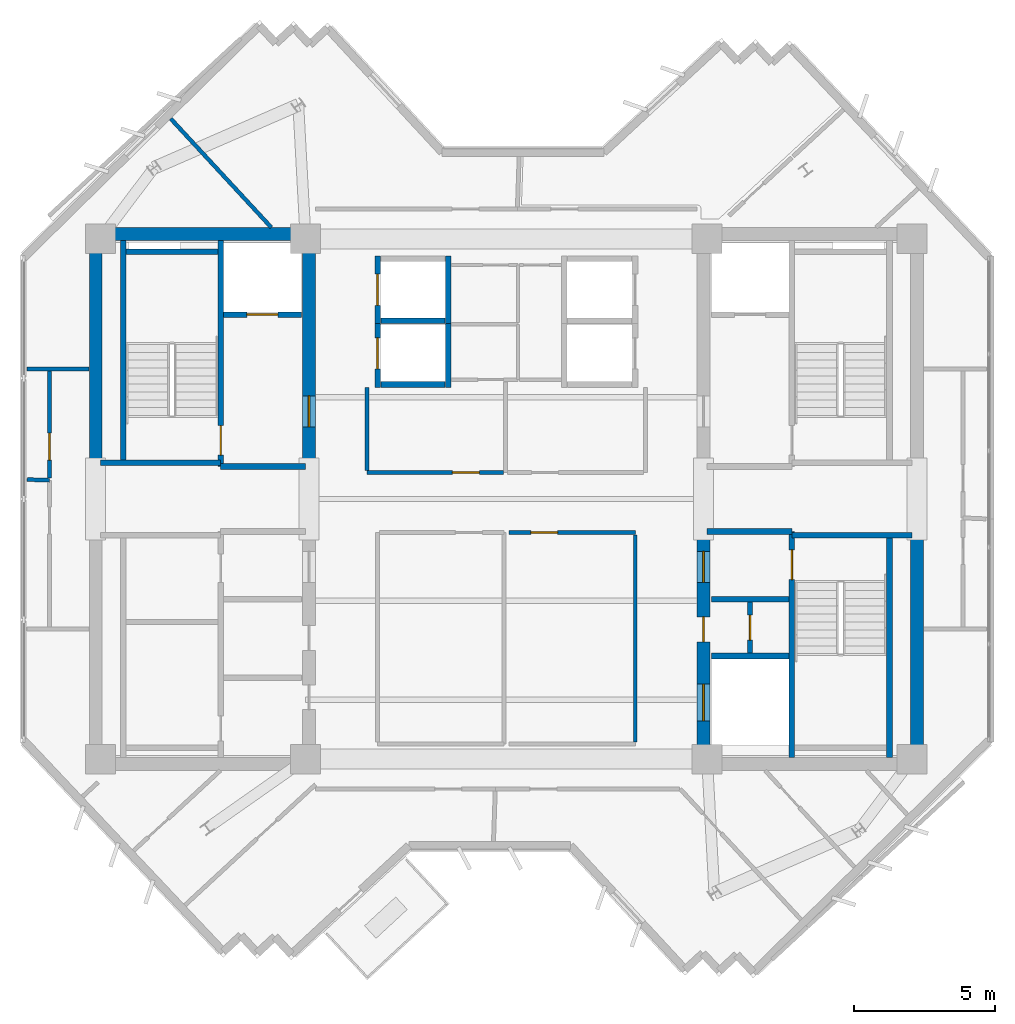
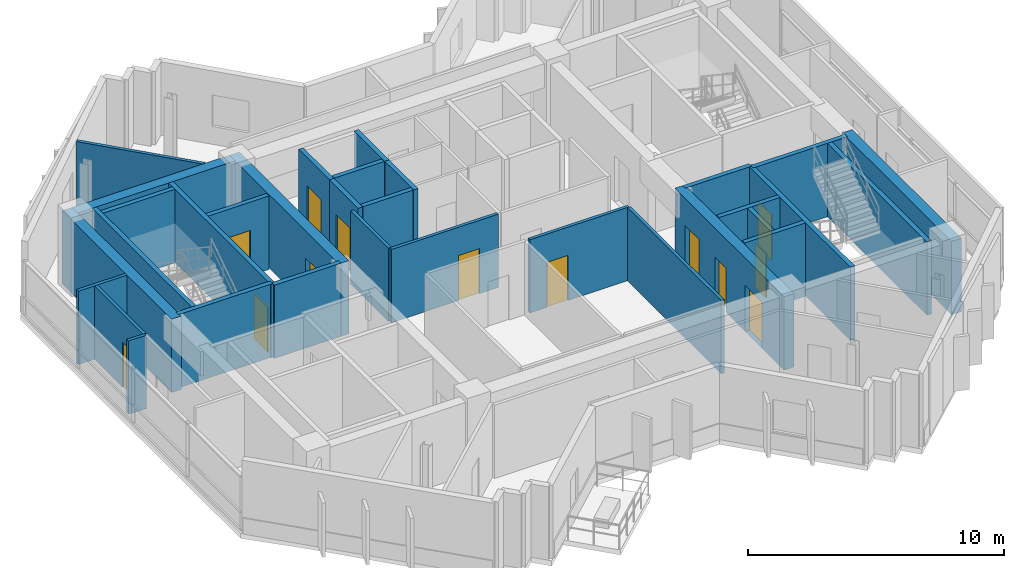
# One storey, part 5 of 9: 32 walls, 13 doors, 13 openings.
"""IFC4 building model written with IfcOpenShell, lengths in metres."""

from ifc_helpers import new_model, si_unit, direction, frame, frame_2d, origin, place, context, subcontext, project, spatial, rectangle, extrude, source, transform, mapped, material, layer, layer_set, type_object, element, fill, save


model = new_model("IFC4")

# Units and contexts
model_context = context("Model", 3, precision=1e-05, world=origin(), true_north=direction((0.0, 1.0)))
body_context = subcontext(model_context, "Body", "Model", "MODEL_VIEW")
ifc_project = project(units=[si_unit("LENGTHUNIT", "METRE"), si_unit("AREAUNIT", "SQUARE_METRE"), si_unit("VOLUMEUNIT", "CUBIC_METRE"), si_unit("PLANEANGLEUNIT", "RADIAN"), si_unit("MASSUNIT", "GRAM", prefix="KILO")], contexts=[model_context])

# Site, building, storey
site_placement = place(None, origin())
site = spatial("IfcSite", under=ifc_project, at=site_placement, CompositionType="ELEMENT")
building_placement = place(site_placement, origin())
building = spatial("IfcBuilding", under=site, at=building_placement, Name="Zahravan Cultural Tower", CompositionType="ELEMENT")
storey_placement = place(building_placement, frame((0.0, 0.0, 295.35009765625)))
storey = spatial("IfcBuildingStorey", under=building, at=storey_placement, Name="L71", CompositionType="ELEMENT", Elevation=295.35009765625)

# Wall, opening, door
ifc_material_1 = material(Name="Concrete C50/60", Category="concrete")
ifc_layer_1 = layer(ifc_material_1, 0.449951171875)
ifc_layer_set_1 = layer_set([ifc_layer_1], Name="Concrete C50/60")
wall_type_1 = type_object("IfcWallType", Name="CW-SHEAR-450-C50", PredefinedType="SHEAR", material=ifc_layer_set_1)
wall_1_placement = place(storey_placement, frame((29.02490234375, 28.050048828125, 0.0), z_axis=(0.0, 0.0, 1.0), x_axis=(0.0, 1.0, 0.0)))
wall_1 = element("IfcWall", 1, at=wall_1_placement, inside=storey, type_object=wall_type_1, Name="L71 Core Shear Wall CW-W-EN-L71", PredefinedType="SHEAR", context=body_context, shape_type="SweptSolid", body=[
    extrude(rectangle(XDim=8.550048828125, YDim=0.449951171875, at=frame_2d((4.27490234375, 0.0))), origin(), (0.0, 0.0, 1.0), 3.5),
])
opening_1_placement = place(wall_1_placement, frame((1.5, 0.0, 0.0)))
opening_1 = element("IfcOpeningElement", 2, at=opening_1_placement, cuts=wall_1, Name="Opening D-L71-06", PredefinedType="OPENING", context=body_context, shape_type="SweptSolid", body=[
    extrude(rectangle(XDim=1.10009765625, YDim=2.199951171875, at=frame_2d((0.550048828125, 1.10009765625))), frame((0.0, 0.23486328125, 0.0), z_axis=(0.0, -1.0, 0.0), x_axis=(1.0, 0.0, 0.0)), (0.0, 0.0, 1.0), 0.469970703125),
])
ifc_material_2 = material(Name="Steel ASTM A572 Grade 50", Category="steel")
door_type_1 = type_object("IfcDoorType", Name="DR-LOBBY-1100", OperationType="NOTDEFINED", PredefinedType="DOOR", material=ifc_material_2)
shared_shape_1 = source(origin(), body_context, "Body", "SweptSolid", [
    extrude(rectangle(XDim=1.10009765625, YDim=2.199951171875, at=frame_2d((0.550048828125, 1.10009765625))), frame((0.0, 0.02490234375, 0.0), z_axis=(0.0, -1.0, 0.0), x_axis=(1.0, 0.0, 0.0)), (0.0, 0.0, 1.0), 0.050048828125),
])
door_1_placement = place(opening_1_placement, origin())
door_1 = element("IfcDoor", 3, at=door_1_placement, inside=storey, type_object=door_type_1, Name="L71 Door D-L71-06", OperationType="SINGLE_SWING_RIGHT", OverallHeight=2.199951171875, OverallWidth=1.10009765625, PredefinedType="DOOR", context=body_context, shape_type="MappedRepresentation", body=[
    mapped(shared_shape_1, transform((0.0, 0.0, 0.0), x_axis=(1.0, 0.0, 0.0), y_axis=(0.0, 1.0, 0.0), z_axis=(0.0, 0.0, 1.0), scale=1.0)),
])
fill(opening_1, door_1)

# Wall, openings, doors
wall_2_placement = place(storey_placement, frame((42.97509765625, 17.39990234375, 0.0), z_axis=(0.0, 0.0, 1.0), x_axis=(0.0, 1.0, 0.0)))
wall_2 = element("IfcWall", 4, at=wall_2_placement, inside=storey, type_object=wall_type_1, Name="L71 Core Shear Wall CW-E-WS-L71", PredefinedType="SHEAR", context=body_context, shape_type="SweptSolid", body=[
    extrude(rectangle(XDim=8.550048828125, YDim=0.449951171875, at=frame_2d((4.27490234375, 0.0))), origin(), (0.0, 0.0, 1.0), 3.5),
])
opening_2_placement = place(wall_2_placement, frame((6.64990234375, 0.0, 0.0)))
opening_2 = element("IfcOpeningElement", 5, at=opening_2_placement, cuts=wall_2, Name="Opening D-L71-09", PredefinedType="OPENING", context=body_context, shape_type="SweptSolid", body=[
    extrude(rectangle(XDim=1.10009765625, YDim=2.199951171875, at=frame_2d((0.550048828125, 1.10009765625))), frame((0.0, 0.23486328125, 0.0), z_axis=(0.0, -1.0, 0.0), x_axis=(1.0, 0.0, 0.0)), (0.0, 0.0, 1.0), 0.469970703125),
])
opening_3_placement = place(wall_2_placement, frame((1.75, 0.0, 0.0)))
opening_3 = element("IfcOpeningElement", 6, at=opening_3_placement, cuts=wall_2, Name="Opening LD-L71-03", PredefinedType="OPENING", context=body_context, shape_type="SweptSolid", body=[
    extrude(rectangle(XDim=1.300048828125, YDim=2.199951171875, at=frame_2d((0.64990234375, 1.10009765625))), frame((0.0, 0.23486328125, 0.0), z_axis=(0.0, -1.0, 0.0), x_axis=(1.0, 0.0, 0.0)), (0.0, 0.0, 1.0), 0.469970703125),
])
opening_4_placement = place(wall_2_placement, frame((4.550048828125, 0.0, 0.0)))
opening_4 = element("IfcOpeningElement", 7, at=opening_4_placement, cuts=wall_2, Name="Opening D-L71-12", PredefinedType="OPENING", context=body_context, shape_type="SweptSolid", body=[
    extrude(rectangle(XDim=0.8798828125, YDim=2.10009765625, at=frame_2d((0.43994140625, 1.050048828125))), frame((0.0, 0.23486328125, 0.0), z_axis=(0.0, -1.0, 0.0), x_axis=(1.0, 0.0, 0.0)), (0.0, 0.0, 1.0), 0.469970703125),
])
door_2_placement = place(opening_2_placement, origin())
door_2 = element("IfcDoor", 8, at=door_2_placement, inside=storey, type_object=door_type_1, Name="L71 Door D-L71-09", OperationType="SINGLE_SWING_LEFT", OverallHeight=2.199951171875, OverallWidth=1.10009765625, PredefinedType="DOOR", context=body_context, shape_type="MappedRepresentation", body=[
    mapped(shared_shape_1, transform((0.0, 0.0, 0.0), x_axis=(1.0, 0.0, 0.0), y_axis=(0.0, 1.0, 0.0), z_axis=(0.0, 0.0, 1.0), scale=1.0)),
])
fill(opening_2, door_2)
door_type_2 = type_object("IfcDoorType", Name="DR-LIFT-1300", OperationType="DOUBLE_DOOR_SLIDING", PredefinedType="DOOR", material=ifc_material_2)
shared_shape_2 = source(origin(), body_context, "Body", "SweptSolid", [
    extrude(rectangle(XDim=1.300048828125, YDim=2.199951171875, at=frame_2d((0.64990234375, 1.10009765625))), frame((0.0, 0.02490234375, 0.0), z_axis=(0.0, -1.0, 0.0), x_axis=(1.0, 0.0, 0.0)), (0.0, 0.0, 1.0), 0.050048828125),
])
door_3_placement = place(opening_3_placement, origin())
door_3 = element("IfcDoor", 9, at=door_3_placement, inside=storey, type_object=door_type_2, Name="L71 Door LD-L71-03", OperationType="DOUBLE_DOOR_SLIDING", OverallHeight=2.199951171875, OverallWidth=1.300048828125, PredefinedType="DOOR", context=body_context, shape_type="MappedRepresentation", body=[
    mapped(shared_shape_2, transform((0.0, 0.0, 0.0), x_axis=(1.0, 0.0, 0.0), y_axis=(0.0, 1.0, 0.0), z_axis=(0.0, 0.0, 1.0), scale=1.0)),
])
fill(opening_3, door_3)
door_type_3 = type_object("IfcDoorType", Name="DR-SVC-880", OperationType="NOTDEFINED", PredefinedType="DOOR", material=ifc_material_2)
shared_shape_3 = source(origin(), body_context, "Body", "SweptSolid", [
    extrude(rectangle(XDim=0.8798828125, YDim=2.10009765625, at=frame_2d((0.43994140625, 1.050048828125))), frame((0.0, 0.02490234375, 0.0), z_axis=(0.0, -1.0, 0.0), x_axis=(1.0, 0.0, 0.0)), (0.0, 0.0, 1.0), 0.050048828125),
])
door_4_placement = place(opening_4_placement, origin())
door_4 = element("IfcDoor", 10, at=door_4_placement, inside=storey, type_object=door_type_3, Name="L71 Door D-L71-12", OperationType="SINGLE_SWING_RIGHT", OverallHeight=2.10009765625, OverallWidth=0.8798828125, PredefinedType="DOOR", context=body_context, shape_type="MappedRepresentation", body=[
    mapped(shared_shape_3, transform((0.0, 0.0, 0.0), x_axis=(1.0, 0.0, 0.0), y_axis=(0.0, 1.0, 0.0), z_axis=(0.0, 0.0, 1.0), scale=1.0)),
])
fill(opening_4, door_4)

# Wall, opening, door
ifc_material_3 = material(Name="Gypsum plasterboard partition")
ifc_layer_2 = layer(ifc_material_3, 0.179931640625)
ifc_layer_set_2 = layer_set([ifc_layer_2], Name="Gypsum plasterboard partition")
wall_type_2 = type_object("IfcWallType", Name="W-COMP-180", PredefinedType="PARTITIONING", material=ifc_layer_set_2)
wall_3_placement = place(storey_placement, frame((44.6201171875, 21.550048828125, 0.0), z_axis=(0.0, 0.0, 1.0), x_axis=(0.0, 1.0, 0.0)))
wall_3 = element("IfcWall", 11, at=wall_3_placement, inside=storey, type_object=wall_type_2, Name="L71 Interior Wall 028", PredefinedType="PARTITIONING", context=body_context, shape_type="SweptSolid", body=[
    extrude(rectangle(XDim=1.800048828125, YDim=0.179931640625, at=frame_2d((0.89990234375, 0.0))), origin(), (0.0, 0.0, 1.0), 3.5),
])
opening_5_placement = place(wall_3_placement, frame((0.4599609375, 0.0, 0.0)))
opening_5 = element("IfcOpeningElement", 12, at=opening_5_placement, cuts=wall_3, Name="Opening D-L71-13", PredefinedType="OPENING", context=body_context, shape_type="SweptSolid", body=[
    extrude(rectangle(XDim=0.8798828125, YDim=2.10009765625, at=frame_2d((0.43994140625, 1.050048828125))), frame((0.0, 0.099853515625, 0.0), z_axis=(0.0, -1.0, 0.0), x_axis=(1.0, 0.0, 0.0)), (0.0, 0.0, 1.0), 0.199951171875),
])
door_5_placement = place(opening_5_placement, origin())
door_5 = element("IfcDoor", 13, at=door_5_placement, inside=storey, type_object=door_type_3, Name="L71 Door D-L71-13", OperationType="SINGLE_SWING_LEFT", OverallHeight=2.10009765625, OverallWidth=0.8798828125, PredefinedType="DOOR", context=body_context, shape_type="MappedRepresentation", body=[
    mapped(shared_shape_3, transform((0.0, 0.0, 0.0), x_axis=(1.0, 0.0, 0.0), y_axis=(0.0, 1.0, 0.0), z_axis=(0.0, 0.0, 1.0), scale=1.0)),
])
fill(opening_5, door_5)

ifc_layer_3 = layer(ifc_material_3, 0.139892578125)
ifc_layer_set_3 = layer_set([ifc_layer_3], Name="Gypsum plasterboard partition")
wall_type_3 = type_object("IfcWallType", Name="W-PART-140", PredefinedType="PARTITIONING", material=ifc_layer_set_3)
wall_4_placement = place(storey_placement, frame((35.89501953125, 27.93994140625, 0.0), z_axis=(0.0, 0.0, 1.0), x_axis=(-1.0, 0.0, 0.0)))
wall_4 = element("IfcWall", 14, at=wall_4_placement, inside=storey, type_object=wall_type_3, Name="L71 Interior Wall 057", PredefinedType="PARTITIONING", context=body_context, shape_type="SweptSolid", body=[
    extrude(rectangle(XDim=4.81494140625, YDim=0.139892578125, at=frame_2d((2.407470703125, 0.0))), origin(), (0.0, 0.0, 1.0), 3.5),
])
opening_6_placement = place(wall_4_placement, frame((0.850341796875, 0.0, 0.0)))
opening_6 = element("IfcOpeningElement", 15, at=opening_6_placement, cuts=wall_4, Name="Opening D-L71-18", PredefinedType="OPENING", context=body_context, shape_type="SweptSolid", body=[
    extrude(rectangle(XDim=0.949951171875, YDim=2.14990234375, at=frame_2d((0.47509765625, 1.074951171875))), frame((0.0, 0.079833984375, 0.0), z_axis=(0.0, -1.0, 0.0), x_axis=(1.0, 0.0, 0.0)), (0.0, 0.0, 1.0), 0.159912109375),
])
ifc_material_4 = material(Name="Anodised bronze-aluminium mullion", Category="aluminium")
door_type_4 = type_object("IfcDoorType", Name="DR-ROOM-950", OperationType="NOTDEFINED", PredefinedType="DOOR", material=ifc_material_4)
shared_shape_4 = source(origin(), body_context, "Body", "SweptSolid", [
    extrude(rectangle(XDim=0.949951171875, YDim=2.14990234375, at=frame_2d((0.47509765625, 1.074951171875))), frame((0.0, 0.02490234375, 0.0), z_axis=(0.0, -1.0, 0.0), x_axis=(1.0, 0.0, 0.0)), (0.0, 0.0, 1.0), 0.050048828125),
])
door_6_placement = place(opening_6_placement, origin())
door_6 = element("IfcDoor", 16, at=door_6_placement, inside=storey, type_object=door_type_4, Name="L71 Door D-L71-18", OperationType="SINGLE_SWING_RIGHT", OverallHeight=2.14990234375, OverallWidth=0.949951171875, PredefinedType="DOOR", context=body_context, shape_type="MappedRepresentation", body=[
    mapped(shared_shape_4, transform((0.0, 0.0, 0.0), x_axis=(1.0, 0.0, 0.0), y_axis=(0.0, 1.0, 0.0), z_axis=(0.0, 0.0, 1.0), scale=1.0)),
])
fill(opening_6, door_6)

wall_5_placement = place(storey_placement, frame((19.851318359375, 31.59765625, 0.0), z_axis=(0.0, 0.0, 1.0), x_axis=(-0.000316215517, -0.999999950004, 0.0)))
wall_5 = element("IfcWall", 17, at=wall_5_placement, inside=storey, type_object=wall_type_3, Name="L71 Interior Wall 077", PredefinedType="PARTITIONING", context=body_context, shape_type="SweptSolid", body=[
    extrude(rectangle(XDim=3.8603515625, YDim=0.139892578125, at=frame_2d((1.93017578125, 0.0))), origin(), (0.0, 0.0, 1.0), 3.5),
])
opening_7_placement = place(wall_5_placement, frame((2.27001953125, 0.0, 0.0)))
opening_7 = element("IfcOpeningElement", 18, at=opening_7_placement, cuts=wall_5, Name="Opening D-L71-23", PredefinedType="OPENING", context=body_context, shape_type="SweptSolid", body=[
    extrude(rectangle(XDim=0.949951171875, YDim=2.14990234375, at=frame_2d((0.47509765625, 1.074951171875))), frame((0.0, 0.079833984375, 0.0), z_axis=(0.0, -1.0, 0.0), x_axis=(1.0, 0.0, 0.0)), (0.0, 0.0, 1.0), 0.159912109375),
])
door_7_placement = place(opening_7_placement, origin())
door_7 = element("IfcDoor", 19, at=door_7_placement, inside=storey, type_object=door_type_4, Name="L71 Door D-L71-23", OperationType="SINGLE_SWING_LEFT", OverallHeight=2.14990234375, OverallWidth=0.949951171875, PredefinedType="DOOR", context=body_context, shape_type="MappedRepresentation", body=[
    mapped(shared_shape_4, transform((0.0, 0.0, 0.0), x_axis=(1.0, 0.0, 0.0), y_axis=(0.0, 1.0, 0.0), z_axis=(0.0, 0.0, 1.0), scale=1.0)),
])
fill(opening_7, door_7)

wall_6_placement = place(storey_placement, frame((36.090087890625, 25.81005859375, 0.0), z_axis=(0.0, 0.0, 1.0), x_axis=(1.0, 0.0, 0.0)))
wall_6 = element("IfcWall", 20, at=wall_6_placement, inside=storey, type_object=wall_type_3, Name="L71 Interior Wall 086", PredefinedType="PARTITIONING", context=body_context, shape_type="SweptSolid", body=[
    extrude(rectangle(XDim=4.469970703125, YDim=0.139892578125, at=frame_2d((2.23486328125, 0.0))), origin(), (0.0, 0.0, 1.0), 3.5),
])
opening_8_placement = place(wall_6_placement, frame((0.7744140625, 0.0, 0.0)))
opening_8 = element("IfcOpeningElement", 21, at=opening_8_placement, cuts=wall_6, Name="Opening D-L71-15", PredefinedType="OPENING", context=body_context, shape_type="SweptSolid", body=[
    extrude(rectangle(XDim=0.949951171875, YDim=2.14990234375, at=frame_2d((0.47509765625, 1.074951171875))), frame((0.0, 0.079833984375, 0.0), z_axis=(0.0, -1.0, 0.0), x_axis=(1.0, 0.0, 0.0)), (0.0, 0.0, 1.0), 0.159912109375),
])
door_8_placement = place(opening_8_placement, origin())
door_8 = element("IfcDoor", 22, at=door_8_placement, inside=storey, type_object=door_type_4, Name="L71 Door D-L71-15", OperationType="SINGLE_SWING_LEFT", OverallHeight=2.14990234375, OverallWidth=0.949951171875, PredefinedType="DOOR", context=body_context, shape_type="MappedRepresentation", body=[
    mapped(shared_shape_4, transform((0.0, 0.0, 0.0), x_axis=(1.0, 0.0, 0.0), y_axis=(0.0, 1.0, 0.0), z_axis=(0.0, 0.0, 1.0), scale=1.0)),
])
fill(opening_8, door_8)

ifc_material_5 = material(Name="Concrete C45/55", Category="concrete")
ifc_layer_4 = layer(ifc_material_5, 0.199951171875)
ifc_layer_set_4 = layer_set([ifc_layer_4], Name="Concrete C45/55")
wall_type_4 = type_object("IfcWallType", Name="W-SHAFT-200", PredefinedType="SOLIDWALL", material=ifc_layer_set_4)
wall_7_placement = place(storey_placement, frame((25.89990234375, 28.14990234375, 0.0), z_axis=(0.0, 0.0, 1.0), x_axis=(0.0, 1.0, 0.0)))
wall_7 = element("IfcWall", 23, at=wall_7_placement, inside=storey, type_object=wall_type_4, Name="L71 Interior Wall 006", PredefinedType="SOLIDWALL", context=body_context, shape_type="SweptSolid", body=[
    extrude(rectangle(XDim=8.0, YDim=0.199951171875, at=frame_2d((4.0, 0.0))), origin(), (0.0, 0.0, 1.0), 3.5),
])
opening_9_placement = place(wall_7_placement, frame((0.39990234375, 0.0, 0.0)))
opening_9 = element("IfcOpeningElement", 24, at=opening_9_placement, cuts=wall_7, Name="Opening D-L71-01", PredefinedType="OPENING", context=body_context, shape_type="SweptSolid", body=[
    extrude(rectangle(XDim=1.050048828125, YDim=2.14990234375, at=frame_2d((0.52490234375, 1.074951171875))), frame((0.0, 0.10986328125, 0.0), z_axis=(0.0, -1.0, 0.0), x_axis=(1.0, 0.0, 0.0)), (0.0, 0.0, 1.0), 0.219970703125),
])
door_type_5 = type_object("IfcDoorType", Name="DR-STAIR-1050", OperationType="NOTDEFINED", PredefinedType="DOOR", material=ifc_material_2)
shared_shape_5 = source(origin(), body_context, "Body", "SweptSolid", [
    extrude(rectangle(XDim=1.050048828125, YDim=2.14990234375, at=frame_2d((0.52490234375, 1.074951171875))), frame((0.0, 0.02490234375, 0.0), z_axis=(0.0, -1.0, 0.0), x_axis=(1.0, 0.0, 0.0)), (0.0, 0.0, 1.0), 0.050048828125),
])
door_9_placement = place(opening_9_placement, origin())
door_9 = element("IfcDoor", 25, at=door_9_placement, inside=storey, type_object=door_type_5, Name="L71 Door D-L71-01", OperationType="SINGLE_SWING_LEFT", OverallHeight=2.14990234375, OverallWidth=1.050048828125, PredefinedType="DOOR", context=body_context, shape_type="MappedRepresentation", body=[
    mapped(shared_shape_5, transform((0.0, 0.0, 0.0), x_axis=(1.0, 0.0, 0.0), y_axis=(0.0, 1.0, 0.0), z_axis=(0.0, 0.0, 1.0), scale=1.0)),
])
fill(opening_9, door_9)

wall_8_placement = place(storey_placement, frame((46.10009765625, 17.85009765625, 0.0), z_axis=(0.0, 0.0, 1.0), x_axis=(0.0, 1.0, 0.0)))
wall_8 = element("IfcWall", 26, at=wall_8_placement, inside=storey, type_object=wall_type_4, Name="L71 Interior Wall 007", PredefinedType="SOLIDWALL", context=body_context, shape_type="SweptSolid", body=[
    extrude(rectangle(XDim=8.0, YDim=0.199951171875, at=frame_2d((4.0, 0.0))), origin(), (0.0, 0.0, 1.0), 3.5),
])
opening_10_placement = place(wall_8_placement, frame((6.300048828125, 0.0, 0.0)))
opening_10 = element("IfcOpeningElement", 27, at=opening_10_placement, cuts=wall_8, Name="Opening D-L71-03", PredefinedType="OPENING", context=body_context, shape_type="SweptSolid", body=[
    extrude(rectangle(XDim=1.050048828125, YDim=2.14990234375, at=frame_2d((0.52490234375, 1.074951171875))), frame((0.0, 0.10986328125, 0.0), z_axis=(0.0, -1.0, 0.0), x_axis=(1.0, 0.0, 0.0)), (0.0, 0.0, 1.0), 0.219970703125),
])
door_10_placement = place(opening_10_placement, origin())
door_10 = element("IfcDoor", 28, at=door_10_placement, inside=storey, type_object=door_type_5, Name="L71 Door D-L71-03", OperationType="SINGLE_SWING_LEFT", OverallHeight=2.14990234375, OverallWidth=1.050048828125, PredefinedType="DOOR", context=body_context, shape_type="MappedRepresentation", body=[
    mapped(shared_shape_5, transform((0.0, 0.0, 0.0), x_axis=(1.0, 0.0, 0.0), y_axis=(0.0, 1.0, 0.0), z_axis=(0.0, 0.0, 1.0), scale=1.0)),
])
fill(opening_10, door_10)

wall_9_placement = place(storey_placement, frame((26.0, 33.52001953125, 0.0), z_axis=(0.0, 0.0, 1.0), x_axis=(1.0, 0.0, 0.0)))
wall_9 = element("IfcWall", 29, at=wall_9_placement, inside=storey, type_object=wall_type_4, Name="L71 Interior Wall 022", PredefinedType="SOLIDWALL", context=body_context, shape_type="SweptSolid", body=[
    extrude(rectangle(XDim=2.75, YDim=0.199951171875, at=frame_2d((1.375, 0.0))), origin(), (0.0, 0.0, 1.0), 3.5),
])
opening_11_placement = place(wall_9_placement, frame((0.820068359375, 0.0, 0.0)))
opening_11 = element("IfcOpeningElement", 30, at=opening_11_placement, cuts=wall_9, Name="Opening LD-L71-01", PredefinedType="OPENING", context=body_context, shape_type="SweptSolid", body=[
    extrude(rectangle(XDim=1.10009765625, YDim=2.14990234375, at=frame_2d((0.550048828125, 1.074951171875))), frame((0.0, 0.10986328125, 0.0), z_axis=(0.0, -1.0, 0.0), x_axis=(1.0, 0.0, 0.0)), (0.0, 0.0, 1.0), 0.219970703125),
])
door_type_6 = type_object("IfcDoorType", Name="DR-LIFT-1100", OperationType="DOUBLE_DOOR_SLIDING", PredefinedType="DOOR", material=ifc_material_2)
shared_shape_6 = source(origin(), body_context, "Body", "SweptSolid", [
    extrude(rectangle(XDim=1.10009765625, YDim=2.14990234375, at=frame_2d((0.550048828125, 1.074951171875))), frame((0.0, 0.02490234375, 0.0), z_axis=(0.0, -1.0, 0.0), x_axis=(1.0, 0.0, 0.0)), (0.0, 0.0, 1.0), 0.050048828125),
])
door_11_placement = place(opening_11_placement, origin())
door_11 = element("IfcDoor", 31, at=door_11_placement, inside=storey, type_object=door_type_6, Name="L71 Door LD-L71-01", OperationType="DOUBLE_DOOR_SLIDING", OverallHeight=2.14990234375, OverallWidth=1.10009765625, PredefinedType="DOOR", context=body_context, shape_type="MappedRepresentation", body=[
    mapped(shared_shape_6, transform((0.0, 0.0, 0.0), x_axis=(1.0, 0.0, 0.0), y_axis=(0.0, 1.0, 0.0), z_axis=(0.0, 0.0, 1.0), scale=1.0)),
])
fill(opening_11, door_11)

wall_10_placement = place(storey_placement, frame((31.449951171875, 33.199951171875, 0.0), z_axis=(0.0, 0.0, 1.0), x_axis=(0.0, 1.0, 0.0)))
wall_10 = element("IfcWall", 32, at=wall_10_placement, inside=storey, type_object=wall_type_4, Name="L71 Interior Wall 029", PredefinedType="SOLIDWALL", context=body_context, shape_type="SweptSolid", body=[
    extrude(rectangle(XDim=2.400146484375, YDim=0.199951171875, at=frame_2d((1.2001953125, 0.0))), origin(), (0.0, 0.0, 1.0), 3.5),
])
opening_12_placement = place(wall_10_placement, frame((0.64990234375, 0.0, 0.0)))
opening_12 = element("IfcOpeningElement", 33, at=opening_12_placement, cuts=wall_10, Name="Opening LD-L71-04", PredefinedType="OPENING", context=body_context, shape_type="SweptSolid", body=[
    extrude(rectangle(XDim=1.10009765625, YDim=2.14990234375, at=frame_2d((0.550048828125, 1.074951171875))), frame((0.0, 0.10986328125, 0.0), z_axis=(0.0, -1.0, 0.0), x_axis=(1.0, 0.0, 0.0)), (0.0, 0.0, 1.0), 0.219970703125),
])
door_12_placement = place(opening_12_placement, origin())
door_12 = element("IfcDoor", 34, at=door_12_placement, inside=storey, type_object=door_type_6, Name="L71 Door LD-L71-04", OperationType="DOUBLE_DOOR_SLIDING", OverallHeight=2.14990234375, OverallWidth=1.10009765625, PredefinedType="DOOR", context=body_context, shape_type="MappedRepresentation", body=[
    mapped(shared_shape_6, transform((0.0, 0.0, 0.0), x_axis=(1.0, 0.0, 0.0), y_axis=(0.0, 1.0, 0.0), z_axis=(0.0, 0.0, 1.0), scale=1.0)),
])
fill(opening_12, door_12)

wall_11_placement = place(storey_placement, frame((31.449951171875, 30.949951171875, 0.0), z_axis=(0.0, 0.0, 1.0), x_axis=(0.0, 1.0, 0.0)))
wall_11 = element("IfcWall", 35, at=wall_11_placement, inside=storey, type_object=wall_type_4, Name="L71 Interior Wall 033", PredefinedType="SOLIDWALL", context=body_context, shape_type="SweptSolid", body=[
    extrude(rectangle(XDim=2.400146484375, YDim=0.199951171875, at=frame_2d((1.2001953125, 0.0))), origin(), (0.0, 0.0, 1.0), 3.5),
])
opening_13_placement = place(wall_11_placement, frame((0.64990234375, 0.0, 0.0)))
opening_13 = element("IfcOpeningElement", 36, at=opening_13_placement, cuts=wall_11, Name="Opening LD-L71-05", PredefinedType="OPENING", context=body_context, shape_type="SweptSolid", body=[
    extrude(rectangle(XDim=1.10009765625, YDim=2.14990234375, at=frame_2d((0.550048828125, 1.074951171875))), frame((0.0, 0.10986328125, 0.0), z_axis=(0.0, -1.0, 0.0), x_axis=(1.0, 0.0, 0.0)), (0.0, 0.0, 1.0), 0.219970703125),
])
door_13_placement = place(opening_13_placement, origin())
door_13 = element("IfcDoor", 37, at=door_13_placement, inside=storey, type_object=door_type_6, Name="L71 Door LD-L71-05", OperationType="DOUBLE_DOOR_SLIDING", OverallHeight=2.14990234375, OverallWidth=1.10009765625, PredefinedType="DOOR", context=body_context, shape_type="MappedRepresentation", body=[
    mapped(shared_shape_6, transform((0.0, 0.0, 0.0), x_axis=(1.0, 0.0, 0.0), y_axis=(0.0, 1.0, 0.0), z_axis=(0.0, 0.0, 1.0), scale=1.0)),
])
fill(opening_13, door_13)

# Walls
shared_shape_7 = source(origin(), body_context, "Body", "SweptSolid", [
    extrude(rectangle(XDim=8.550048828125, YDim=0.449951171875, at=frame_2d((4.27490234375, 0.0))), origin(), (0.0, 0.0, 1.0), 3.5),
])
for number, where, z_axis, x_axis, name in (
    (38, (21.47509765625, 28.050048828125, 0.0), (0.0, 0.0, 1.0), (0.0, 1.0, 0.0), "L71 Core Shear Wall CW-W-WN-L71"),
    (39, (50.52490234375, 17.39990234375, 0.0), (0.0, 0.0, 1.0), (0.0, 1.0, 0.0), "L71 Core Shear Wall CW-E-ES-L71"),
):
    element("IfcWall", number, at=place(storey_placement, frame(where, z_axis=z_axis, x_axis=x_axis)), inside=storey, type_object=wall_type_1, Name=name, PredefinedType="SHEAR", context=body_context, shape_type="MappedRepresentation", body=[
        mapped(shared_shape_7, transform((0.0, 0.0, 0.0), x_axis=(1.0, 0.0, 0.0), y_axis=(0.0, 1.0, 0.0), z_axis=(0.0, 0.0, 1.0), scale=1.0)),
    ])
shared_shape_8 = source(origin(), body_context, "Body", "SweptSolid", [
    extrude(rectangle(XDim=7.10009765625, YDim=0.449951171875, at=frame_2d((3.550048828125, 0.0))), origin(), (0.0, 0.0, 1.0), 3.5),
])
wall_12_placement = place(storey_placement, frame((21.699951171875, 36.375, 0.0), z_axis=(0.0, 0.0, 1.0), x_axis=(1.0, 0.0, 0.0)))
element("IfcWall", 40, at=wall_12_placement, inside=storey, type_object=wall_type_1, Name="L71 Core Shear Wall CW-W-N-L71", PredefinedType="SHEAR", context=body_context, shape_type="MappedRepresentation", body=[
    mapped(shared_shape_8, transform((0.0, 0.0, 0.0), x_axis=(1.0, 0.0, 0.0), y_axis=(0.0, 1.0, 0.0), z_axis=(0.0, 0.0, 1.0), scale=1.0)),
])
shared_shape_9 = source(origin(), body_context, "Body", "SweptSolid", [
    extrude(rectangle(XDim=7.869873046875, YDim=0.199951171875, at=frame_2d((3.93505859375, 0.0))), origin(), (0.0, 0.0, 1.0), 3.5),
])
for number, where, z_axis, x_axis, name in (
    (41, (22.449951171875, 28.280029296875, 0.0), (0.0, 0.0, 1.0), (0.0, 1.0, 0.0), "L71 Interior Wall 002"),
    (42, (49.550048828125, 17.85009765625, 0.0), (0.0, 0.0, 1.0), (0.0, 1.0, 0.0), "L71 Interior Wall 003"),
):
    element("IfcWall", number, at=place(storey_placement, frame(where, z_axis=z_axis, x_axis=x_axis)), inside=storey, type_object=wall_type_4, Name=name, PredefinedType="SOLIDWALL", context=body_context, shape_type="MappedRepresentation", body=[
        mapped(shared_shape_9, transform((0.0, 0.0, 0.0), x_axis=(1.0, 0.0, 0.0), y_axis=(0.0, 1.0, 0.0), z_axis=(0.0, 0.0, 1.0), scale=1.0)),
    ])
shared_shape_10 = source(origin(), body_context, "Body", "SweptSolid", [
    extrude(rectangle(XDim=4.25, YDim=0.199951171875, at=frame_2d((2.125, 0.0))), origin(), (0.0, 0.0, 1.0), 3.5),
])
for number, where, z_axis, x_axis, name in (
    (43, (21.64990234375, 28.284912109375, 0.0), (0.0, 0.0, 1.0), (1.0, 0.0, 0.0), "L71 Interior Wall 011"),
    (44, (46.10009765625, 25.715087890625, 0.0), (0.0, 0.0, 1.0), (1.0, 0.0, 0.0), "L71 Interior Wall 014"),
):
    element("IfcWall", number, at=place(storey_placement, frame(where, z_axis=z_axis, x_axis=x_axis)), inside=storey, type_object=wall_type_4, Name=name, PredefinedType="SOLIDWALL", context=body_context, shape_type="MappedRepresentation", body=[
        mapped(shared_shape_10, transform((0.0, 0.0, 0.0), x_axis=(1.0, 0.0, 0.0), y_axis=(0.0, 1.0, 0.0), z_axis=(0.0, 0.0, 1.0), scale=1.0)),
    ])
shared_shape_11 = source(origin(), body_context, "Body", "SweptSolid", [
    extrude(rectangle(XDim=3.0, YDim=0.199951171875, at=frame_2d((1.5, 0.0))), origin(), (0.0, 0.0, 1.0), 3.5),
])
for number, where, z_axis, x_axis, name in (
    (45, (25.89990234375, 28.14990234375, 0.0), (0.0, 0.0, 1.0), (1.0, 0.0, 0.0), "L71 Interior Wall 012"),
    (46, (43.10009765625, 25.85009765625, 0.0), (0.0, 0.0, 1.0), (1.0, 0.0, 0.0), "L71 Interior Wall 013"),
):
    element("IfcWall", number, at=place(storey_placement, frame(where, z_axis=z_axis, x_axis=x_axis)), inside=storey, type_object=wall_type_4, Name=name, PredefinedType="SOLIDWALL", context=body_context, shape_type="MappedRepresentation", body=[
        mapped(shared_shape_11, transform((0.0, 0.0, 0.0), x_axis=(1.0, 0.0, 0.0), y_axis=(0.0, 1.0, 0.0), z_axis=(0.0, 0.0, 1.0), scale=1.0)),
    ])
shared_shape_12 = source(origin(), body_context, "Body", "SweptSolid", [
    extrude(rectangle(XDim=3.25, YDim=0.199951171875, at=frame_2d((1.625, 0.0))), origin(), (0.0, 0.0, 1.0), 3.5),
])
wall_13_placement = place(storey_placement, frame((22.550048828125, 35.75, 0.0), z_axis=(0.0, 0.0, 1.0), x_axis=(1.0, 0.0, 0.0)))
element("IfcWall", 47, at=wall_13_placement, inside=storey, type_object=wall_type_4, Name="L71 Interior Wall 017", PredefinedType="SOLIDWALL", context=body_context, shape_type="MappedRepresentation", body=[
    mapped(shared_shape_12, transform((0.0, 0.0, 0.0), x_axis=(1.0, 0.0, 0.0), y_axis=(0.0, 1.0, 0.0), z_axis=(0.0, 0.0, 1.0), scale=1.0)),
])
shared_shape_13 = source(origin(), body_context, "Body", "SweptSolid", [
    extrude(rectangle(XDim=2.75, YDim=0.199951171875, at=frame_2d((1.375, 0.0))), origin(), (0.0, 0.0, 1.0), 3.5),
])
for number, where, z_axis, x_axis, name in (
    (48, (43.25, 23.449951171875, 0.0), (0.0, 0.0, 1.0), (1.0, 0.0, 0.0), "L71 Interior Wall 025"),
    (49, (43.25, 21.449951171875, 0.0), (0.0, 0.0, 1.0), (1.0, 0.0, 0.0), "L71 Interior Wall 026"),
):
    element("IfcWall", number, at=place(storey_placement, frame(where, z_axis=z_axis, x_axis=x_axis)), inside=storey, type_object=wall_type_4, Name=name, PredefinedType="SOLIDWALL", context=body_context, shape_type="MappedRepresentation", body=[
        mapped(shared_shape_13, transform((0.0, 0.0, 0.0), x_axis=(1.0, 0.0, 0.0), y_axis=(0.0, 1.0, 0.0), z_axis=(0.0, 0.0, 1.0), scale=1.0)),
    ])
shared_shape_14 = source(origin(), body_context, "Body", "SweptSolid", [
    extrude(rectangle(XDim=2.400146484375, YDim=0.199951171875, at=frame_2d((1.2001953125, 0.0))), origin(), (0.0, 0.0, 1.0), 3.5),
])
for number, where, z_axis, x_axis, name in (
    (50, (33.949951171875, 33.199951171875, 0.0), (0.0, 0.0, 1.0), (0.0, 1.0, 0.0), "L71 Interior Wall 030"),
    (51, (33.949951171875, 30.949951171875, 0.0), (0.0, 0.0, 1.0), (0.0, 1.0, 0.0), "L71 Interior Wall 034"),
):
    element("IfcWall", number, at=place(storey_placement, frame(where, z_axis=z_axis, x_axis=x_axis)), inside=storey, type_object=wall_type_4, Name=name, PredefinedType="SOLIDWALL", context=body_context, shape_type="MappedRepresentation", body=[
        mapped(shared_shape_14, transform((0.0, 0.0, 0.0), x_axis=(1.0, 0.0, 0.0), y_axis=(0.0, 1.0, 0.0), z_axis=(0.0, 0.0, 1.0), scale=1.0)),
    ])
shared_shape_15 = source(origin(), body_context, "Body", "SweptSolid", [
    extrude(rectangle(XDim=2.260009765625, YDim=0.199951171875, at=frame_2d((1.1298828125, 0.0))), origin(), (0.0, 0.0, 1.0), 3.5),
])
for number, where, z_axis, x_axis, name in (
    (52, (31.570068359375, 33.300048828125, 0.0), (0.0, 0.0, 1.0), (1.0, 0.0, 0.0), "L71 Interior Wall 031"),
    (53, (31.570068359375, 31.050048828125, 0.0), (0.0, 0.0, 1.0), (1.0, 0.0, 0.0), "L71 Interior Wall 035"),
):
    element("IfcWall", number, at=place(storey_placement, frame(where, z_axis=z_axis, x_axis=x_axis)), inside=storey, type_object=wall_type_4, Name=name, PredefinedType="SOLIDWALL", context=body_context, shape_type="MappedRepresentation", body=[
        mapped(shared_shape_15, transform((0.0, 0.0, 0.0), x_axis=(1.0, 0.0, 0.0), y_axis=(0.0, 1.0, 0.0), z_axis=(0.0, 0.0, 1.0), scale=1.0)),
    ])
shared_shape_16 = source(origin(), body_context, "Body", "SweptSolid", [
    extrude(rectangle(XDim=2.93505859375, YDim=0.139892578125, at=frame_2d((1.467529296875, 0.0))), origin(), (0.0, 0.0, 1.0), 3.5),
])
wall_14_placement = place(storey_placement, frame((31.080078125, 28.014892578125, 0.0), z_axis=(0.0, 0.0, 1.0), x_axis=(0.0, 1.0, 0.0)))
element("IfcWall", 54, at=wall_14_placement, inside=storey, type_object=wall_type_3, Name="L71 Interior Wall 058", PredefinedType="PARTITIONING", context=body_context, shape_type="MappedRepresentation", body=[
    mapped(shared_shape_16, transform((0.0, 0.0, 0.0), x_axis=(1.0, 0.0, 0.0), y_axis=(0.0, 1.0, 0.0), z_axis=(0.0, 0.0, 1.0), scale=1.0)),
])
shared_shape_17 = source(origin(), body_context, "Body", "SweptSolid", [
    extrude(rectangle(XDim=7.320068359375, YDim=0.139892578125, at=frame_2d((3.66015625, 0.0))), origin(), (0.0, 0.0, 1.0), 3.5),
])
wall_15_placement = place(storey_placement, frame((40.56005859375, 25.735107421875, 0.0), z_axis=(0.0, 0.0, 1.0), x_axis=(0.0, -1.0, 0.0)))
element("IfcWall", 55, at=wall_15_placement, inside=storey, type_object=wall_type_3, Name="L71 Interior Wall 087", PredefinedType="PARTITIONING", context=body_context, shape_type="MappedRepresentation", body=[
    mapped(shared_shape_17, transform((0.0, 0.0, 0.0), x_axis=(1.0, 0.0, 0.0), y_axis=(0.0, 1.0, 0.0), z_axis=(0.0, 0.0, 1.0), scale=1.0)),
])
shared_shape_18 = source(origin(), body_context, "Body", "SweptSolid", [
    extrude(rectangle(XDim=2.195068359375, YDim=0.139892578125, at=frame_2d((1.09765625, 0.0))), origin(), (0.0, 0.0, 1.0), 3.5),
])
wall_16_placement = place(storey_placement, frame((21.2451171875, 31.599853515625, 0.0), z_axis=(0.0, 0.0, 1.0), x_axis=(-0.999998787702, -0.001557110781, 0.0)))
element("IfcWall", 56, at=wall_16_placement, inside=storey, type_object=wall_type_3, Name="L71 Interior Wall 080", PredefinedType="PARTITIONING", context=body_context, shape_type="MappedRepresentation", body=[
    mapped(shared_shape_18, transform((0.0, 0.0, 0.0), x_axis=(1.0, 0.0, 0.0), y_axis=(0.0, 1.0, 0.0), z_axis=(0.0, 0.0, 1.0), scale=1.0)),
])
shared_shape_19 = source(origin(), body_context, "Body", "SweptSolid", [
    extrude(rectangle(XDim=0.794921875, YDim=0.139892578125, at=frame_2d((0.3974609375, 0.0))), origin(), (0.0, 0.0, 1.0), 3.5),
])
wall_17_placement = place(storey_placement, frame((19.054931640625, 27.689453125, 0.0), z_axis=(0.0, 0.0, 1.0), x_axis=(0.999418697686, -0.034092033019, 0.0)))
element("IfcWall", 57, at=wall_17_placement, inside=storey, type_object=wall_type_3, Name="L71 Interior Wall 068", PredefinedType="PARTITIONING", context=body_context, shape_type="MappedRepresentation", body=[
    mapped(shared_shape_19, transform((0.0, 0.0, 0.0), x_axis=(1.0, 0.0, 0.0), y_axis=(0.0, 1.0, 0.0), z_axis=(0.0, 0.0, 1.0), scale=1.0)),
])
shared_shape_20 = source(origin(), body_context, "Body", "SweptSolid", [
    extrude(rectangle(XDim=5.23779296875, YDim=0.139892578125, at=frame_2d((2.618896484375, 0.0))), origin(), (0.0, 0.0, 1.0), 3.5),
])
wall_18_placement = place(storey_placement, frame((24.131591796875, 40.4501953125, 0.0), z_axis=(0.0, 0.0, 1.0), x_axis=(0.67899802156, -0.734140100197, 0.0)))
element("IfcWall", 58, at=wall_18_placement, inside=storey, type_object=wall_type_3, Name="L71 Interior Wall 079", PredefinedType="PARTITIONING", context=body_context, shape_type="MappedRepresentation", body=[
    mapped(shared_shape_20, transform((0.0, 0.0, 0.0), x_axis=(1.0, 0.0, 0.0), y_axis=(0.0, 1.0, 0.0), z_axis=(0.0, 0.0, 1.0), scale=1.0)),
])

save(model, "model.ifc")
